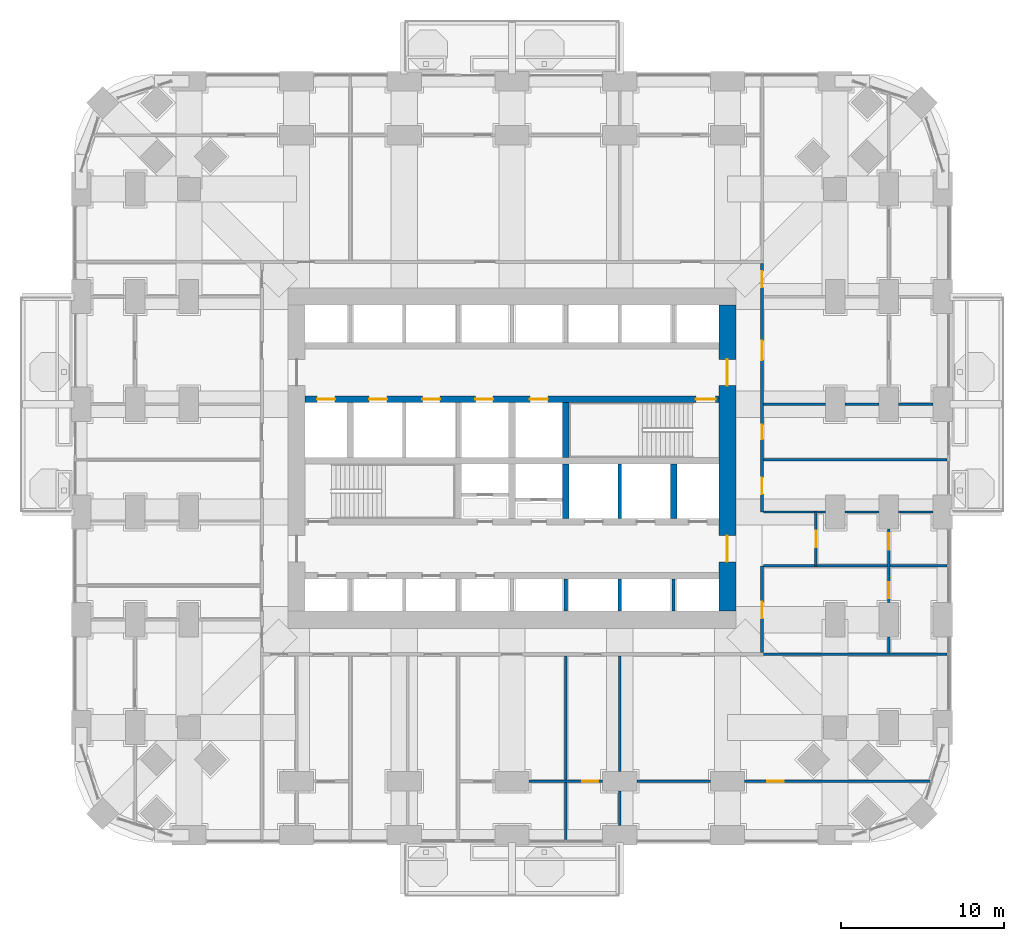
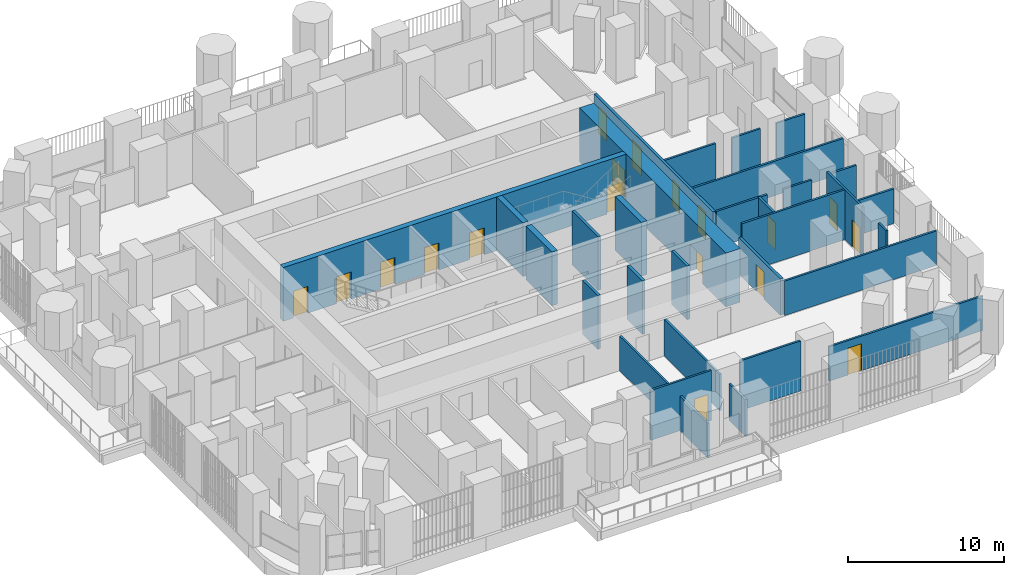
# One storey, part 19 of 26: 30 walls, 18 doors, 18 openings.
"""IFC4 building model written with IfcOpenShell, lengths in metres."""

import ifcopenshell
import ifcopenshell.guid

model = None  # the IFC model being written
_history = None  # IfcOwnerHistory: only IFC2X3 demands one
_inside = {}  # id of a spatial element -> (the spatial element, [elements in it])
_under = {}  # id of a project, library or spatial element -> (it, [spatial elements below it])
_declared = {}  # id of a project -> (the project, [libraries it declares])
_typed = {}  # id of a type object -> (the type object, [elements of that type])
_made_of = {}  # id of a material, layer set ... -> (it, [elements and type objects made of it])


def new_model(schema):
    """Start an empty IFC model of exactly this schema.

    Asked for "IFC4X3", IfcOpenShell would pick the latest addendum, in which some entities
    have other attributes; the version numbers below select the first issue.
    IFC2X3 requires an IfcOwnerHistory on every rooted entity: one is made here for all.
    """
    global model, _history
    if schema == "IFC4X3":
        model = ifcopenshell.file(schema_version=(4, 3, 0, 0))
    else:
        model = ifcopenshell.file(schema=schema)
    _inside.clear()
    _under.clear()
    _declared.clear()
    _typed.clear()
    _made_of.clear()
    _history = None
    if model.schema == "IFC2X3":
        org = make("IfcOrganization", Name="unknown")
        user = make(
            "IfcPersonAndOrganization",
            ThePerson=make("IfcPerson", FamilyName="unknown"),
            TheOrganization=org,
        )
        app = make(
            "IfcApplication",
            ApplicationDeveloper=org,
            Version="unknown",
            ApplicationFullName="unknown",
            ApplicationIdentifier="unknown",
        )
        _history = make(
            "IfcOwnerHistory",
            OwningUser=user,
            OwningApplication=app,
            ChangeAction="ADDED",
            CreationDate=0,
        )
    return model


def make(cls, **values):
    """One entity of the class cls with the attributes given. An attribute that is None is left unset."""
    return model.create_entity(
        cls, **{name: value for name, value in values.items() if value is not None}
    )


def rooted(cls, **values):
    """An entity with a GlobalId (a new one), such as an element, a storey or a relation."""
    return make(cls, GlobalId=ifcopenshell.guid.new(), OwnerHistory=_history, **values)


def si_unit(unit_type, name, prefix=None):
    """IfcSIUnit, for example si_unit("LENGTHUNIT", "METRE", prefix="MILLI")."""
    return make("IfcSIUnit", UnitType=unit_type, Prefix=prefix, Name=name)


def assignment(units):
    """IfcUnitAssignment: the units of a project."""
    return None if units is None else make("IfcUnitAssignment", Units=units)


def point(xyz):
    """IfcCartesianPoint."""
    return None if xyz is None else make("IfcCartesianPoint", Coordinates=xyz)


def direction(xyz):
    """IfcDirection."""
    return None if xyz is None else make("IfcDirection", DirectionRatios=xyz)


def frame(location, z_axis=None, x_axis=None):
    """IfcAxis2Placement3D, a coordinate frame: its origin and axes. An axis left out is left unset."""
    return make(
        "IfcAxis2Placement3D",
        Location=point(location),
        Axis=direction(z_axis),
        RefDirection=direction(x_axis),
    )


def frame_2d(location, x_axis=None):
    """IfcAxis2Placement2D, a coordinate frame in the plane: its origin and x axis."""
    return make(
        "IfcAxis2Placement2D", Location=point(location), RefDirection=direction(x_axis)
    )


def origin():
    """The frame at (0, 0, 0) with its axes left unset."""
    return frame((0.0, 0.0, 0.0))


def place(relative_to, where):
    """IfcLocalPlacement: puts the frame where relative to a parent placement (None: the world)."""
    return make(
        "IfcLocalPlacement", PlacementRelTo=relative_to, RelativePlacement=where
    )


def context(
    kind, dimensions, precision=None, world=None, true_north=None, identifier=None
):
    """IfcGeometricRepresentationContext, for example the 3D "Model" context."""
    return make(
        "IfcGeometricRepresentationContext",
        ContextIdentifier=identifier,
        ContextType=kind,
        CoordinateSpaceDimension=dimensions,
        Precision=precision,
        WorldCoordinateSystem=world,
        TrueNorth=true_north,
    )


def subcontext(parent, identifier, kind, view, scale=None):
    """IfcGeometricRepresentationSubContext, for example "Body" below "Model"."""
    return make(
        "IfcGeometricRepresentationSubContext",
        ContextIdentifier=identifier,
        ContextType=kind,
        ParentContext=parent,
        TargetScale=scale,
        TargetView=view,
    )


def project(units=None, contexts=None):
    """IfcProject with its units and contexts."""
    return rooted(
        "IfcProject",
        Name="project",
        RepresentationContexts=contexts,
        UnitsInContext=assignment(units),
    )


def spatial(cls, under=None, at=None, **own):
    """A site, building, storey or space (cls), placed at a placement, below another one or the project."""
    s = rooted(cls, ObjectPlacement=at, **own)
    if under is not None:
        _under.setdefault(under.id(), (under, []))[1].append(s)
    return s


def profile(cls, at=None, kind="AREA", **sizes):
    """A parametric profile (cls). Its sizes go by their IFC names, for example OverallWidth=200.0."""
    return make(cls, ProfileType=kind, Position=at, **sizes)


def rectangle(**sizes):
    """IfcRectangleProfileDef."""
    return profile("IfcRectangleProfileDef", **sizes)


def extrude(swept, where, along, depth):
    """IfcExtrudedAreaSolid: the profile swept, set in the frame where, extruded along a direction by depth."""
    return make(
        "IfcExtrudedAreaSolid",
        SweptArea=swept,
        Position=where,
        ExtrudedDirection=direction(along),
        Depth=depth,
    )


def shape(context_of_items, identifier, shape_type, items):
    """IfcShapeRepresentation: the items that make up one representation, for example the "Body"."""
    return make(
        "IfcShapeRepresentation",
        ContextOfItems=context_of_items,
        RepresentationIdentifier=identifier,
        RepresentationType=shape_type,
        Items=items,
    )


def material(Name=None, Category=None):
    """IfcMaterial."""
    return make("IfcMaterial", Name=Name, Category=Category)


def layer(
    of_material, thickness, ventilated=None, Name=None, Category=None, Priority=None
):
    """IfcMaterialLayer: one layer of a wall or slab, of a material (None: an air gap)."""
    return make(
        "IfcMaterialLayer",
        Material=of_material,
        LayerThickness=thickness,
        IsVentilated=ventilated,
        Name=Name,
        Category=Category,
        Priority=Priority,
    )


def layer_set(layers, Name=None):
    """IfcMaterialLayerSet."""
    return make("IfcMaterialLayerSet", MaterialLayers=layers, LayerSetName=Name)


def made_of(thing, what):
    """Note that an element or type object is made of a material, layer set ...; save() writes the relation."""
    if what is not None:
        _made_of.setdefault(what.id(), (what, []))[1].append(thing)
    return thing


def type_object(cls, material=None, **own):
    """A type object (cls), such as IfcWallType, which elements share."""
    return made_of(rooted(cls, **own), material)


def element(
    cls,
    number,
    at=None,
    inside=None,
    cuts=None,
    type_object=None,
    material=None,
    context=None,
    identifier="Body",
    shape_type=None,
    held_by="IfcProductDefinitionShape",
    body=None,
    shapes=None,
    **own,
):
    """One element of the class cls, such as IfcWall. Its Tag is "e" and its number.

    at: its placement. inside: the storey or other place that contains it. cuts: it is an
    opening in that element (IfcRelVoidsElement). A single representation is given by context,
    identifier, shape_type and body (its items); several are given by shapes. held_by: the class
    of the entity that holds the representations. save() writes the other relations.
    """
    e = rooted(cls, Tag="e%d" % number, ObjectPlacement=at, **own)
    if body is not None:
        shapes = [shape(context, identifier, shape_type, body)]
    if shapes is not None:
        e.Representation = make(held_by, Representations=shapes)
    if inside is not None:
        _inside.setdefault(inside.id(), (inside, []))[1].append(e)
    if cuts is not None:
        rooted(
            "IfcRelVoidsElement", RelatingBuildingElement=cuts, RelatedOpeningElement=e
        )
    if type_object is not None:
        _typed.setdefault(type_object.id(), (type_object, []))[1].append(e)
    return made_of(e, material)


def fill(opening, filler):
    """IfcRelFillsElement: the door or window that sits in an opening."""
    return rooted(
        "IfcRelFillsElement",
        RelatingOpeningElement=opening,
        RelatedBuildingElement=filler,
    )


def aggregate(whole, parts):
    """IfcRelAggregates: a whole, such as a stair, and the parts it consists of."""
    return rooted("IfcRelAggregates", RelatingObject=whole, RelatedObjects=parts)


def save(model, path):
    """Write the relations noted so far, then the file.

    IfcRelAggregates (storeys below a building ...), IfcRelContainedInSpatialStructure (elements
    in a storey), IfcRelDefinesByType, IfcRelAssociatesMaterial and IfcRelDeclares: one each for
    every whole, place, type object, material and project.
    """
    for whole, parts in _under.values():
        aggregate(whole, parts)
    for where, things in _inside.values():
        rooted(
            "IfcRelContainedInSpatialStructure",
            RelatedElements=things,
            RelatingStructure=where,
        )
    for kind, things in _typed.values():
        rooted("IfcRelDefinesByType", RelatedObjects=things, RelatingType=kind)
    for what, things in _made_of.values():
        rooted("IfcRelAssociatesMaterial", RelatedObjects=things, RelatingMaterial=what)
    for by, libraries in _declared.values():
        rooted("IfcRelDeclares", RelatingContext=by, RelatedDefinitions=libraries)
    model.write(path)


model = new_model("IFC4")

# Units and contexts
model_context = context("Model", 3, precision=1e-05, world=origin(), true_north=direction((0.0, 1.0)))
body_context = subcontext(model_context, "Body", "Model", "MODEL_VIEW")
ifc_project = project(units=[si_unit("LENGTHUNIT", "METRE"), si_unit("AREAUNIT", "SQUARE_METRE"), si_unit("VOLUMEUNIT", "CUBIC_METRE"), si_unit("PLANEANGLEUNIT", "RADIAN"), si_unit("MASSUNIT", "GRAM", prefix="KILO")], contexts=[model_context])

# Site, building, storey
site_placement = place(None, origin())
site = spatial("IfcSite", under=ifc_project, at=site_placement, CompositionType="ELEMENT")
building_placement = place(site_placement, origin())
building = spatial("IfcBuilding", under=site, at=building_placement, Name="Cobogo Forest Laboratory Tower", CompositionType="ELEMENT")
storey_placement = place(building_placement, frame((0.0, 0.0, 59.10009765625)))
storey = spatial("IfcBuildingStorey", under=building, at=storey_placement, Name="L13", CompositionType="ELEMENT", Elevation=59.10009765625)

# Wall, openings, doors
ifc_material_1 = material(Name="Concrete HA-50 (C50/60)", Category="concrete")
ifc_layer_1 = layer(ifc_material_1, 0.39990234375)
ifc_layer_set_1 = layer_set([ifc_layer_1], Name="CI400 core inner wall 400")
wall_type_1 = type_object("IfcWallType", Name="CI400 core inner wall 400", PredefinedType="SHEAR", material=ifc_layer_set_1)
wall_1_placement = place(storey_placement, frame((13.72509765625, 26.699951171875, 0.0), z_axis=(0.0, 0.0, 1.0), x_axis=(1.0, 0.0, 0.0)))
wall_1 = element("IfcWall", 1, at=wall_1_placement, inside=storey, type_object=wall_type_1, Name="Core wall CI-26.7 L13", PredefinedType="SHEAR", context=body_context, shape_type="SweptSolid", body=[
    extrude(rectangle(XDim=25.349853515625, YDim=0.39990234375, at=frame_2d((12.6748046875, 0.0))), origin(), (0.0, 0.0, 1.0), 4.199951171875),
])
opening_1_placement = place(wall_1_placement, frame((23.949951171875, 0.0, 0.0)))
opening_1 = element("IfcOpeningElement", 2, at=opening_1_placement, cuts=wall_1, Name="Opening L13-D34", PredefinedType="OPENING", context=body_context, shape_type="SweptSolid", body=[
    extrude(rectangle(XDim=1.199951171875, YDim=2.10009765625, at=frame_2d((0.60009765625, 1.050048828125))), frame((0.0, 0.2099609375, 0.0), z_axis=(0.0, -1.0, 0.0), x_axis=(1.0, 0.0, 0.0)), (0.0, 0.0, 1.0), 0.419921875),
])
opening_2_placement = place(wall_1_placement, frame((0.737548828125, 0.0, 0.0)))
opening_2 = element("IfcOpeningElement", 3, at=opening_2_placement, cuts=wall_1, Name="Opening L13-LD-FL1", PredefinedType="OPENING", context=body_context, shape_type="SweptSolid", body=[
    extrude(rectangle(XDim=1.10009765625, YDim=2.10009765625, at=frame_2d((0.550048828125, 1.050048828125))), frame((0.0, 0.2099609375, 0.0), z_axis=(0.0, -1.0, 0.0), x_axis=(1.0, 0.0, 0.0)), (0.0, 0.0, 1.0), 0.419921875),
])
opening_3_placement = place(wall_1_placement, frame((3.925048828125, 0.0, 0.0)))
opening_3 = element("IfcOpeningElement", 4, at=opening_3_placement, cuts=wall_1, Name="Opening L13-LD-LS3", PredefinedType="OPENING", context=body_context, shape_type="SweptSolid", body=[
    extrude(rectangle(XDim=1.10009765625, YDim=2.10009765625, at=frame_2d((0.550048828125, 1.050048828125))), frame((0.0, 0.2099609375, 0.0), z_axis=(0.0, -1.0, 0.0), x_axis=(1.0, 0.0, 0.0)), (0.0, 0.0, 1.0), 0.419921875),
])
opening_4_placement = place(wall_1_placement, frame((7.175048828125, 0.0, 0.0)))
opening_4 = element("IfcOpeningElement", 5, at=opening_4_placement, cuts=wall_1, Name="Opening L13-LD-LS4", PredefinedType="OPENING", context=body_context, shape_type="SweptSolid", body=[
    extrude(rectangle(XDim=1.10009765625, YDim=2.10009765625, at=frame_2d((0.550048828125, 1.050048828125))), frame((0.0, 0.2099609375, 0.0), z_axis=(0.0, -1.0, 0.0), x_axis=(1.0, 0.0, 0.0)), (0.0, 0.0, 1.0), 0.419921875),
])
opening_5_placement = place(wall_1_placement, frame((10.425048828125, 0.0, 0.0)))
opening_5 = element("IfcOpeningElement", 6, at=opening_5_placement, cuts=wall_1, Name="Opening L13-LD-LS5", PredefinedType="OPENING", context=body_context, shape_type="SweptSolid", body=[
    extrude(rectangle(XDim=1.10009765625, YDim=2.10009765625, at=frame_2d((0.550048828125, 1.050048828125))), frame((0.0, 0.2099609375, 0.0), z_axis=(0.0, -1.0, 0.0), x_axis=(1.0, 0.0, 0.0)), (0.0, 0.0, 1.0), 0.419921875),
])
opening_6_placement = place(wall_1_placement, frame((13.77490234375, 0.0, 0.0)))
opening_6 = element("IfcOpeningElement", 7, at=opening_6_placement, cuts=wall_1, Name="Opening L13-LD-LS6", PredefinedType="OPENING", context=body_context, shape_type="SweptSolid", body=[
    extrude(rectangle(XDim=1.10009765625, YDim=2.10009765625, at=frame_2d((0.550048828125, 1.050048828125))), frame((0.0, 0.2099609375, 0.0), z_axis=(0.0, -1.0, 0.0), x_axis=(1.0, 0.0, 0.0)), (0.0, 0.0, 1.0), 0.419921875),
])
ifc_material_2 = material(Name="Steel fire door", Category="steel")
door_type_1 = type_object("IfcDoorType", Name="DS1 protected stair door 1200 EI2 60", OperationType="SINGLE_SWING_LEFT", PredefinedType="DOOR", material=ifc_material_2)
door_1_placement = place(opening_1_placement, origin())
door_1 = element("IfcDoor", 8, at=door_1_placement, inside=storey, type_object=door_type_1, Name="Door L13-ST2", OperationType="SINGLE_SWING_RIGHT", OverallHeight=2.10009765625, OverallWidth=1.199951171875, PredefinedType="DOOR", context=body_context, shape_type="SweptSolid", body=[
    extrude(rectangle(XDim=1.199951171875, YDim=2.10009765625, at=frame_2d((0.60009765625, 1.050048828125))), frame((0.0, 0.02490234375, 0.0), z_axis=(0.0, -1.0, 0.0), x_axis=(1.0, 0.0, 0.0)), (0.0, 0.0, 1.0), 0.050048828125),
])
fill(opening_1, door_1)
ifc_material_3 = material(Name="Stainless steel lift door", Category="steel")
door_type_2 = type_object("IfcDoorType", Name="LD lift landing door 1100", OperationType="DOUBLE_DOOR_SLIDING", PredefinedType="DOOR", material=ifc_material_3)
door_2_placement = place(opening_2_placement, origin())
door_2 = element("IfcDoor", 9, at=door_2_placement, inside=storey, type_object=door_type_2, Name="Lift landing door FL1 L13", OperationType="DOUBLE_DOOR_SLIDING", OverallHeight=2.10009765625, OverallWidth=1.10009765625, PredefinedType="DOOR", context=body_context, shape_type="SweptSolid", body=[
    extrude(rectangle(XDim=1.10009765625, YDim=2.10009765625, at=frame_2d((0.550048828125, 1.050048828125))), frame((0.0, 0.02490234375, 0.0), z_axis=(0.0, -1.0, 0.0), x_axis=(1.0, 0.0, 0.0)), (0.0, 0.0, 1.0), 0.050048828125),
])
fill(opening_2, door_2)
door_3_placement = place(opening_3_placement, origin())
door_3 = element("IfcDoor", 10, at=door_3_placement, inside=storey, type_object=door_type_2, Name="Lift landing door LS3 L13", OperationType="DOUBLE_DOOR_SLIDING", OverallHeight=2.10009765625, OverallWidth=1.10009765625, PredefinedType="DOOR", context=body_context, shape_type="SweptSolid", body=[
    extrude(rectangle(XDim=1.10009765625, YDim=2.10009765625, at=frame_2d((0.550048828125, 1.050048828125))), frame((0.0, 0.02490234375, 0.0), z_axis=(0.0, -1.0, 0.0), x_axis=(1.0, 0.0, 0.0)), (0.0, 0.0, 1.0), 0.050048828125),
])
fill(opening_3, door_3)
door_4_placement = place(opening_4_placement, origin())
door_4 = element("IfcDoor", 11, at=door_4_placement, inside=storey, type_object=door_type_2, Name="Lift landing door LS4 L13", OperationType="DOUBLE_DOOR_SLIDING", OverallHeight=2.10009765625, OverallWidth=1.10009765625, PredefinedType="DOOR", context=body_context, shape_type="SweptSolid", body=[
    extrude(rectangle(XDim=1.10009765625, YDim=2.10009765625, at=frame_2d((0.550048828125, 1.050048828125))), frame((0.0, 0.02490234375, 0.0), z_axis=(0.0, -1.0, 0.0), x_axis=(1.0, 0.0, 0.0)), (0.0, 0.0, 1.0), 0.050048828125),
])
fill(opening_4, door_4)
door_5_placement = place(opening_5_placement, origin())
door_5 = element("IfcDoor", 12, at=door_5_placement, inside=storey, type_object=door_type_2, Name="Lift landing door LS5 L13", OperationType="DOUBLE_DOOR_SLIDING", OverallHeight=2.10009765625, OverallWidth=1.10009765625, PredefinedType="DOOR", context=body_context, shape_type="SweptSolid", body=[
    extrude(rectangle(XDim=1.10009765625, YDim=2.10009765625, at=frame_2d((0.550048828125, 1.050048828125))), frame((0.0, 0.02490234375, 0.0), z_axis=(0.0, -1.0, 0.0), x_axis=(1.0, 0.0, 0.0)), (0.0, 0.0, 1.0), 0.050048828125),
])
fill(opening_5, door_5)
door_6_placement = place(opening_6_placement, origin())
door_6 = element("IfcDoor", 13, at=door_6_placement, inside=storey, type_object=door_type_2, Name="Lift landing door LS6 L13", OperationType="DOUBLE_DOOR_SLIDING", OverallHeight=2.10009765625, OverallWidth=1.10009765625, PredefinedType="DOOR", context=body_context, shape_type="SweptSolid", body=[
    extrude(rectangle(XDim=1.10009765625, YDim=2.10009765625, at=frame_2d((0.550048828125, 1.050048828125))), frame((0.0, 0.02490234375, 0.0), z_axis=(0.0, -1.0, 0.0), x_axis=(1.0, 0.0, 0.0)), (0.0, 0.0, 1.0), 0.050048828125),
])
fill(opening_6, door_6)

# Walls
for number, where, z_axis, x_axis, name in (
    (14, (29.699951171875, 19.39990234375, 0.0), (0.0, 0.0, 1.0), (0.0, 1.0, 0.0), "Core wall CX-29.7S L13"),
    (15, (36.300048828125, 19.39990234375, 0.0), (0.0, 0.0, 1.0), (0.0, 1.0, 0.0), "Core wall CX-36.3 L13"),
    (16, (29.699951171875, 23.14990234375, 0.0), (0.0, 0.0, 1.0), (0.0, 1.0, 0.0), "Core wall CX-29.7N L13"),
):
    element("IfcWall", number, at=place(storey_placement, frame(where, z_axis=z_axis, x_axis=x_axis)), inside=storey, type_object=wall_type_1, Name=name, PredefinedType="SHEAR", context=body_context, shape_type="SweptSolid", body=[
        extrude(rectangle(XDim=3.35009765625, YDim=0.39990234375, at=frame_2d((1.675048828125, 0.0))), origin(), (0.0, 0.0, 1.0), 4.199951171875),
    ])

# Wall, openings, doors
ifc_layer_2 = layer(ifc_material_1, 1.050048828125)
ifc_layer_set_2 = layer_set([ifc_layer_2], Name="CW1050 core outer wall 1050")
wall_type_2 = type_object("IfcWallType", Name="CW1050 core outer wall 1050", PredefinedType="SHEAR", material=ifc_layer_set_2)
wall_2_placement = place(storey_placement, frame((39.60009765625, 13.72509765625, 0.0), z_axis=(0.0, 0.0, 1.0), x_axis=(0.0, 1.0, 0.0)))
wall_2 = element("IfcWall", 17, at=wall_2_placement, inside=storey, type_object=wall_type_2, Name="Core wall CO-E L13", PredefinedType="SHEAR", context=body_context, shape_type="SweptSolid", body=[
    extrude(rectangle(XDim=18.75, YDim=1.050048828125, at=frame_2d((9.375, 0.0))), origin(), (0.0, 0.0, 1.0), 4.199951171875),
])
opening_7_placement = place(wall_2_placement, frame((3.02490234375, 0.0, 0.0)))
opening_7 = element("IfcOpeningElement", 18, at=opening_7_placement, cuts=wall_2, Name="Opening L13-D20", PredefinedType="OPENING", context=body_context, shape_type="SweptSolid", body=[
    extrude(rectangle(XDim=1.60009765625, YDim=2.10009765625, at=frame_2d((0.800048828125, 1.050048828125))), frame((0.0, 0.534912109375, 0.0), z_axis=(0.0, -1.0, 0.0), x_axis=(1.0, 0.0, 0.0)), (0.0, 0.0, 1.0), 1.070068359375),
])
opening_8_placement = place(wall_2_placement, frame((13.824951171875, 0.0, 0.0)))
opening_8 = element("IfcOpeningElement", 19, at=opening_8_placement, cuts=wall_2, Name="Opening L13-D36", PredefinedType="OPENING", context=body_context, shape_type="SweptSolid", body=[
    extrude(rectangle(XDim=1.60009765625, YDim=2.10009765625, at=frame_2d((0.800048828125, 1.050048828125))), frame((0.0, 0.534912109375, 0.0), z_axis=(0.0, -1.0, 0.0), x_axis=(1.0, 0.0, 0.0)), (0.0, 0.0, 1.0), 1.070068359375),
])
door_type_3 = type_object("IfcDoorType", Name="DS2 protected lobby door pair 1600 EI2 60", OperationType="DOUBLE_DOOR_DOUBLE_SWING", PredefinedType="DOOR", material=ifc_material_2)
door_7_placement = place(opening_7_placement, origin())
door_7 = element("IfcDoor", 20, at=door_7_placement, inside=storey, type_object=door_type_3, Name="Door L13-CO-E-S", OperationType="DOUBLE_DOOR_DOUBLE_SWING", OverallHeight=2.10009765625, OverallWidth=1.60009765625, PredefinedType="DOOR", context=body_context, shape_type="SweptSolid", body=[
    extrude(rectangle(XDim=1.60009765625, YDim=2.10009765625, at=frame_2d((0.800048828125, 1.050048828125))), frame((0.0, 0.02490234375, 0.0), z_axis=(0.0, -1.0, 0.0), x_axis=(1.0, 0.0, 0.0)), (0.0, 0.0, 1.0), 0.050048828125),
])
fill(opening_7, door_7)
door_8_placement = place(opening_8_placement, origin())
door_8 = element("IfcDoor", 21, at=door_8_placement, inside=storey, type_object=door_type_3, Name="Door L13-CO-E-N", OperationType="DOUBLE_DOOR_DOUBLE_SWING", OverallHeight=2.10009765625, OverallWidth=1.60009765625, PredefinedType="DOOR", context=body_context, shape_type="SweptSolid", body=[
    extrude(rectangle(XDim=1.60009765625, YDim=2.10009765625, at=frame_2d((0.800048828125, 1.050048828125))), frame((0.0, 0.02490234375, 0.0), z_axis=(0.0, -1.0, 0.0), x_axis=(1.0, 0.0, 0.0)), (0.0, 0.0, 1.0), 0.050048828125),
])
fill(opening_8, door_8)

# Wall
ifc_material_4 = material(Name="Gypsum board on steel studs", Category="steel")
ifc_layer_3 = layer(ifc_material_4, 0.14990234375)
ifc_layer_set_3 = layer_set([ifc_layer_3], Name="PT1 laboratory partition 150")
wall_type_3 = type_object("IfcWallType", Name="PT1 laboratory partition 150", PredefinedType="PARTITIONING", material=ifc_layer_set_3)
wall_3_placement = place(storey_placement, frame((53.070068359375, 11.074951171875, 0.0), z_axis=(0.0, 0.0, 1.0), x_axis=(-1.0, 0.0, 0.0)))
element("IfcWall", 22, at=wall_3_placement, inside=storey, type_object=wall_type_3, Name="Partition PW-SE L13", PredefinedType="PARTITIONING", context=body_context, shape_type="SweptSolid", body=[
    extrude(rectangle(XDim=11.2451171875, YDim=0.14990234375, at=frame_2d((5.62255859375, 0.0))), origin(), (0.0, 0.0, 1.0), 2.699951171875),
])

# Wall, opening, door
wall_4_placement = place(storey_placement, frame((27.449951171875, 3.300048828125, 0.0), z_axis=(0.0, 0.0, 1.0), x_axis=(1.0, 0.0, 0.0)))
wall_4 = element("IfcWall", 23, at=wall_4_placement, inside=storey, type_object=wall_type_3, Name="Partition STRIP-S-3 L13", PredefinedType="PARTITIONING", context=body_context, shape_type="SweptSolid", body=[
    extrude(rectangle(XDim=4.5, YDim=0.14990234375, at=frame_2d((2.25, 0.0))), origin(), (0.0, 0.0, 1.0), 3.89990234375),
])
opening_9_placement = place(wall_4_placement, frame((3.25, 0.0, 0.0)))
opening_9 = element("IfcOpeningElement", 24, at=opening_9_placement, cuts=wall_4, Name="Opening L13-D04", PredefinedType="OPENING", context=body_context, shape_type="SweptSolid", body=[
    extrude(rectangle(XDim=1.0, YDim=2.10009765625, at=frame_2d((0.5, 1.050048828125))), frame((0.0, 0.0849609375, 0.0), z_axis=(0.0, -1.0, 0.0), x_axis=(1.0, 0.0, 0.0)), (0.0, 0.0, 1.0), 0.169921875),
])
ifc_material_5 = material(Name="Timber fire door", Category="wood")
door_type_4 = type_object("IfcDoorType", Name="FD2 fire door 1000 EI2 30", OperationType="SINGLE_SWING_LEFT", PredefinedType="DOOR", material=ifc_material_5)
door_9_placement = place(opening_9_placement, origin())
door_9 = element("IfcDoor", 25, at=door_9_placement, inside=storey, type_object=door_type_4, Name="Door L13-S4W", OperationType="SINGLE_SWING_RIGHT", OverallHeight=2.10009765625, OverallWidth=1.0, PredefinedType="DOOR", context=body_context, shape_type="SweptSolid", body=[
    extrude(rectangle(XDim=1.0, YDim=2.10009765625, at=frame_2d((0.5, 1.050048828125))), frame((0.0, 0.02490234375, 0.0), z_axis=(0.0, -1.0, 0.0), x_axis=(1.0, 0.0, 0.0)), (0.0, 0.0, 1.0), 0.050048828125),
])
fill(opening_9, door_9)

# Wall
wall_5_placement = place(storey_placement, frame((34.050048828125, 3.300048828125, 0.0), z_axis=(0.0, 0.0, 1.0), x_axis=(1.0, 0.0, 0.0)))
element("IfcWall", 26, at=wall_5_placement, inside=storey, type_object=wall_type_3, Name="Partition STRIP-S-4 L13", PredefinedType="PARTITIONING", context=body_context, shape_type="SweptSolid", body=[
    extrude(rectangle(XDim=4.5, YDim=0.14990234375, at=frame_2d((2.25, 0.0))), origin(), (0.0, 0.0, 1.0), 3.89990234375),
])

# Wall, opening, door
wall_6_placement = place(storey_placement, frame((40.64990234375, 3.300048828125, 0.0), z_axis=(0.0, 0.0, 1.0), x_axis=(1.0, 0.0, 0.0)))
wall_6 = element("IfcWall", 27, at=wall_6_placement, inside=storey, type_object=wall_type_3, Name="Partition STRIP-S-5 L13", PredefinedType="PARTITIONING", context=body_context, shape_type="SweptSolid", body=[
    extrude(rectangle(XDim=11.3740234375, YDim=0.14990234375, at=frame_2d((5.68701171875, 0.0))), origin(), (0.0, 0.0, 1.0), 2.699951171875),
])
opening_10_placement = place(wall_6_placement, frame((1.39208984375, 0.0, 0.0)))
opening_10 = element("IfcOpeningElement", 28, at=opening_10_placement, cuts=wall_6, Name="Opening L13-D05", PredefinedType="OPENING", context=body_context, shape_type="SweptSolid", body=[
    extrude(rectangle(XDim=1.0, YDim=2.10009765625, at=frame_2d((0.5, 1.050048828125))), frame((0.0, 0.0849609375, 0.0), z_axis=(0.0, -1.0, 0.0), x_axis=(1.0, 0.0, 0.0)), (0.0, 0.0, 1.0), 0.169921875),
])
door_10_placement = place(opening_10_placement, origin())
door_10 = element("IfcDoor", 29, at=door_10_placement, inside=storey, type_object=door_type_4, Name="Door L13-S5W", OperationType="SINGLE_SWING_LEFT", OverallHeight=2.10009765625, OverallWidth=1.0, PredefinedType="DOOR", context=body_context, shape_type="SweptSolid", body=[
    extrude(rectangle(XDim=1.0, YDim=2.10009765625, at=frame_2d((0.5, 1.050048828125))), frame((0.0, 0.02490234375, 0.0), z_axis=(0.0, -1.0, 0.0), x_axis=(1.0, 0.0, 0.0)), (0.0, 0.0, 1.0), 0.050048828125),
])
fill(opening_10, door_10)

# Walls
wall_7_placement = place(storey_placement, frame((29.699951171875, -0.27001953125, 0.0), z_axis=(0.0, 0.0, 1.0), x_axis=(0.0, 1.0, 0.0)))
element("IfcWall", 30, at=wall_7_placement, inside=storey, type_object=wall_type_3, Name="Partition CUT-S29.7-1 L13", PredefinedType="PARTITIONING", context=body_context, shape_type="SweptSolid", body=[
    extrude(rectangle(XDim=11.2451171875, YDim=0.14990234375, at=frame_2d((5.62255859375, 0.0))), origin(), (0.0, 0.0, 1.0), 2.699951171875),
])
wall_8_placement = place(storey_placement, frame((33.0, 0.60009765625, 0.0), z_axis=(0.0, 0.0, 1.0), x_axis=(0.0, 1.0, 0.0)))
element("IfcWall", 31, at=wall_8_placement, inside=storey, type_object=wall_type_3, Name="Partition CUT-S33a-1 L13", PredefinedType="PARTITIONING", context=body_context, shape_type="SweptSolid", body=[
    extrude(rectangle(XDim=2.099853515625, YDim=0.14990234375, at=frame_2d((1.0498046875, 0.0))), origin(), (0.0, 0.0, 1.0), 2.849853515625),
])
wall_9_placement = place(storey_placement, frame((33.0, 3.89990234375, 0.0), z_axis=(0.0, 0.0, 1.0), x_axis=(0.0, 1.0, 0.0)))
element("IfcWall", 32, at=wall_9_placement, inside=storey, type_object=wall_type_3, Name="Partition CUT-S33b-1 L13", PredefinedType="PARTITIONING", context=body_context, shape_type="SweptSolid", body=[
    extrude(rectangle(XDim=7.0751953125, YDim=0.14990234375, at=frame_2d((3.53759765625, 0.0))), origin(), (0.0, 0.0, 1.0), 2.849853515625),
])
wall_10_placement = place(storey_placement, frame((49.5, 11.14990234375, 0.0), z_axis=(0.0, 0.0, 1.0), x_axis=(0.0, 1.0, 0.0)))
element("IfcWall", 33, at=wall_10_placement, inside=storey, type_object=wall_type_3, Name="Partition STRIP-E-1 L13", PredefinedType="PARTITIONING", context=body_context, shape_type="SweptSolid", body=[
    extrude(rectangle(XDim=1.0, YDim=0.14990234375, at=frame_2d((0.5, 0.0))), origin(), (0.0, 0.0, 1.0), 3.89990234375),
])

# Wall, openings, doors
wall_11_placement = place(storey_placement, frame((49.5, 14.25, 0.0), z_axis=(0.0, 0.0, 1.0), x_axis=(0.0, 1.0, 0.0)))
wall_11 = element("IfcWall", 34, at=wall_11_placement, inside=storey, type_object=wall_type_3, Name="Partition STRIP-E-2 L13", PredefinedType="PARTITIONING", context=body_context, shape_type="SweptSolid", body=[
    extrude(rectangle(XDim=4.5, YDim=0.14990234375, at=frame_2d((2.25, 0.0))), origin(), (0.0, 0.0, 1.0), 3.89990234375),
])
opening_11_placement = place(wall_11_placement, frame((0.25, 0.0, 0.0)))
opening_11 = element("IfcOpeningElement", 35, at=opening_11_placement, cuts=wall_11, Name="Opening L13-D17", PredefinedType="OPENING", context=body_context, shape_type="SweptSolid", body=[
    extrude(rectangle(XDim=1.0, YDim=2.10009765625, at=frame_2d((0.5, 1.050048828125))), frame((0.0, 0.0849609375, 0.0), z_axis=(0.0, -1.0, 0.0), x_axis=(1.0, 0.0, 0.0)), (0.0, 0.0, 1.0), 0.169921875),
])
opening_12_placement = place(wall_11_placement, frame((3.25, 0.0, 0.0)))
opening_12 = element("IfcOpeningElement", 36, at=opening_12_placement, cuts=wall_11, Name="Opening L13-D21", PredefinedType="OPENING", context=body_context, shape_type="SweptSolid", body=[
    extrude(rectangle(XDim=1.0, YDim=2.10009765625, at=frame_2d((0.5, 1.050048828125))), frame((0.0, 0.0849609375, 0.0), z_axis=(0.0, -1.0, 0.0), x_axis=(1.0, 0.0, 0.0)), (0.0, 0.0, 1.0), 0.169921875),
])
door_11_placement = place(opening_11_placement, origin())
door_11 = element("IfcDoor", 37, at=door_11_placement, inside=storey, type_object=door_type_4, Name="Door L13-E1W", OperationType="SINGLE_SWING_LEFT", OverallHeight=2.10009765625, OverallWidth=1.0, PredefinedType="DOOR", context=body_context, shape_type="SweptSolid", body=[
    extrude(rectangle(XDim=1.0, YDim=2.10009765625, at=frame_2d((0.5, 1.050048828125))), frame((0.0, 0.02490234375, 0.0), z_axis=(0.0, -1.0, 0.0), x_axis=(1.0, 0.0, 0.0)), (0.0, 0.0, 1.0), 0.050048828125),
])
fill(opening_11, door_11)
door_12_placement = place(opening_12_placement, origin())
door_12 = element("IfcDoor", 38, at=door_12_placement, inside=storey, type_object=door_type_4, Name="Door L13-E2W", OperationType="SINGLE_SWING_RIGHT", OverallHeight=2.10009765625, OverallWidth=1.0, PredefinedType="DOOR", context=body_context, shape_type="SweptSolid", body=[
    extrude(rectangle(XDim=1.0, YDim=2.10009765625, at=frame_2d((0.5, 1.050048828125))), frame((0.0, 0.02490234375, 0.0), z_axis=(0.0, -1.0, 0.0), x_axis=(1.0, 0.0, 0.0)), (0.0, 0.0, 1.0), 0.050048828125),
])
fill(opening_12, door_12)

# Wall, opening, door
wall_12_placement = place(storey_placement, frame((45.02490234375, 16.5, 0.0), z_axis=(0.0, 0.0, 1.0), x_axis=(0.0, 1.0, 0.0)))
wall_12 = element("IfcWall", 39, at=wall_12_placement, inside=storey, type_object=wall_type_3, Name="Partition NODE-E-1 L13", PredefinedType="PARTITIONING", context=body_context, shape_type="SweptSolid", body=[
    extrude(rectangle(XDim=3.300048828125, YDim=0.14990234375, at=frame_2d((1.64990234375, 0.0))), origin(), (0.0, 0.0, 1.0), 2.849853515625),
])
opening_13_placement = place(wall_12_placement, frame((1.14990234375, 0.0, 0.0)))
opening_13 = element("IfcOpeningElement", 40, at=opening_13_placement, cuts=wall_12, Name="Opening L13-D22", PredefinedType="OPENING", context=body_context, shape_type="SweptSolid", body=[
    extrude(rectangle(XDim=1.0, YDim=2.10009765625, at=frame_2d((0.5, 1.050048828125))), frame((0.0, 0.0849609375, 0.0), z_axis=(0.0, -1.0, 0.0), x_axis=(1.0, 0.0, 0.0)), (0.0, 0.0, 1.0), 0.169921875),
])
door_13_placement = place(opening_13_placement, origin())
door_13 = element("IfcDoor", 41, at=door_13_placement, inside=storey, type_object=door_type_4, Name="Door L13-E2", OperationType="SINGLE_SWING_RIGHT", OverallHeight=2.10009765625, OverallWidth=1.0, PredefinedType="DOOR", context=body_context, shape_type="SweptSolid", body=[
    extrude(rectangle(XDim=1.0, YDim=2.10009765625, at=frame_2d((0.5, 1.050048828125))), frame((0.0, 0.02490234375, 0.0), z_axis=(0.0, -1.0, 0.0), x_axis=(1.0, 0.0, 0.0)), (0.0, 0.0, 1.0), 0.050048828125),
])
fill(opening_13, door_13)

# Walls
wall_13_placement = place(storey_placement, frame((53.070068359375, 23.0, 0.0), z_axis=(0.0, 0.0, 1.0), x_axis=(-1.0, 0.0, 0.0)))
element("IfcWall", 42, at=wall_13_placement, inside=storey, type_object=wall_type_3, Name="Partition SVC-E1-1 L13", PredefinedType="PARTITIONING", context=body_context, shape_type="SweptSolid", body=[
    extrude(rectangle(XDim=11.2451171875, YDim=0.14990234375, at=frame_2d((5.62255859375, 0.0))), origin(), (0.0, 0.0, 1.0), 2.699951171875),
])
for number, where, z_axis, x_axis, name in (
    (43, (52.199951171875, 26.39990234375, 0.0), (0.0, 0.0, 1.0), (-1.0, 0.0, 0.0), "Partition SVC-E2-1 L13"),
    (44, (48.89990234375, 26.39990234375, 0.0), (0.0, 0.0, 1.0), (-1.0, 0.0, 0.0), "Partition SVC-E2-2 L13"),
):
    element("IfcWall", number, at=place(storey_placement, frame(where, z_axis=z_axis, x_axis=x_axis)), inside=storey, type_object=wall_type_3, Name=name, PredefinedType="PARTITIONING", context=body_context, shape_type="SweptSolid", body=[
        extrude(rectangle(XDim=2.099853515625, YDim=0.14990234375, at=frame_2d((1.0498046875, 0.0))), origin(), (0.0, 0.0, 1.0), 2.849853515625),
    ])
wall_14_placement = place(storey_placement, frame((45.60009765625, 26.39990234375, 0.0), z_axis=(0.0, 0.0, 1.0), x_axis=(-1.0, 0.0, 0.0)))
element("IfcWall", 45, at=wall_14_placement, inside=storey, type_object=wall_type_3, Name="Partition SVC-E2-3 L13", PredefinedType="PARTITIONING", context=body_context, shape_type="SweptSolid", body=[
    extrude(rectangle(XDim=3.775146484375, YDim=0.14990234375, at=frame_2d((1.8876953125, 0.0))), origin(), (0.0, 0.0, 1.0), 2.849853515625),
])
wall_15_placement = place(storey_placement, frame((53.070068359375, 16.5, 0.0), z_axis=(0.0, 0.0, 1.0), x_axis=(-1.0, 0.0, 0.0)))
element("IfcWall", 46, at=wall_15_placement, inside=storey, type_object=wall_type_3, Name="Partition CUT-E16.5a-1 L13", PredefinedType="PARTITIONING", context=body_context, shape_type="SweptSolid", body=[
    extrude(rectangle(XDim=3.4951171875, YDim=0.14990234375, at=frame_2d((1.74755859375, 0.0))), origin(), (0.0, 0.0, 1.0), 2.699951171875),
])
wall_16_placement = place(storey_placement, frame((49.425048828125, 16.5, 0.0), z_axis=(0.0, 0.0, 1.0), x_axis=(-1.0, 0.0, 0.0)))
element("IfcWall", 47, at=wall_16_placement, inside=storey, type_object=wall_type_3, Name="Partition CUT-E16.5b-1 L13", PredefinedType="PARTITIONING", context=body_context, shape_type="SweptSolid", body=[
    extrude(rectangle(XDim=7.60009765625, YDim=0.14990234375, at=frame_2d((3.800048828125, 0.0))), origin(), (0.0, 0.0, 1.0), 3.89990234375),
])
for number, where, z_axis, x_axis, name in (
    (48, (52.199951171875, 19.800048828125, 0.0), (0.0, 0.0, 1.0), (-1.0, 0.0, 0.0), "Partition CUT-E19.8-1 L13"),
    (49, (48.89990234375, 19.800048828125, 0.0), (0.0, 0.0, 1.0), (-1.0, 0.0, 0.0), "Partition CUT-E19.8-2 L13"),
):
    element("IfcWall", number, at=place(storey_placement, frame(where, z_axis=z_axis, x_axis=x_axis)), inside=storey, type_object=wall_type_3, Name=name, PredefinedType="PARTITIONING", context=body_context, shape_type="SweptSolid", body=[
        extrude(rectangle(XDim=2.099853515625, YDim=0.14990234375, at=frame_2d((1.0498046875, 0.0))), origin(), (0.0, 0.0, 1.0), 2.849853515625),
    ])
wall_17_placement = place(storey_placement, frame((45.60009765625, 19.800048828125, 0.0), z_axis=(0.0, 0.0, 1.0), x_axis=(-1.0, 0.0, 0.0)))
element("IfcWall", 50, at=wall_17_placement, inside=storey, type_object=wall_type_3, Name="Partition CUT-E19.8-3 L13", PredefinedType="PARTITIONING", context=body_context, shape_type="SweptSolid", body=[
    extrude(rectangle(XDim=3.775146484375, YDim=0.14990234375, at=frame_2d((1.8876953125, 0.0))), origin(), (0.0, 0.0, 1.0), 2.849853515625),
])

# Wall, opening, door
ifc_layer_4 = layer(ifc_material_4, 0.199951171875)
ifc_layer_set_4 = layer_set([ifc_layer_4], Name="PT2 fire-rated corridor partition 200")
wall_type_4 = type_object("IfcWallType", Name="PT2 fire-rated corridor partition 200", PredefinedType="PARTITIONING", material=ifc_layer_set_4)
wall_18_placement = place(storey_placement, frame((41.72509765625, 11.175048828125, 0.0), z_axis=(0.0, 0.0, 1.0), x_axis=(0.0, 1.0, 0.0)))
wall_18 = element("IfcWall", 51, at=wall_18_placement, inside=storey, type_object=wall_type_4, Name="Partition CORR-E-1 L13", PredefinedType="PARTITIONING", context=body_context, shape_type="SweptSolid", body=[
    extrude(rectangle(XDim=5.324951171875, YDim=0.199951171875, at=frame_2d((2.66259765625, 0.0))), origin(), (0.0, 0.0, 1.0), 2.849853515625),
])
opening_14_placement = place(wall_18_placement, frame((2.112548828125, 0.0, 0.0)))
opening_14 = element("IfcOpeningElement", 52, at=opening_14_placement, cuts=wall_18, Name="Opening L13-D15", PredefinedType="OPENING", context=body_context, shape_type="SweptSolid", body=[
    extrude(rectangle(XDim=1.0, YDim=2.10009765625, at=frame_2d((0.5, 1.050048828125))), frame((0.0, 0.10986328125, 0.0), z_axis=(0.0, -1.0, 0.0), x_axis=(1.0, 0.0, 0.0)), (0.0, 0.0, 1.0), 0.219970703125),
])
door_14_placement = place(opening_14_placement, origin())
door_14 = element("IfcDoor", 53, at=door_14_placement, inside=storey, type_object=door_type_4, Name="Door L13-E1", OperationType="SINGLE_SWING_LEFT", OverallHeight=2.10009765625, OverallWidth=1.0, PredefinedType="DOOR", context=body_context, shape_type="SweptSolid", body=[
    extrude(rectangle(XDim=1.0, YDim=2.10009765625, at=frame_2d((0.5, 1.050048828125))), frame((0.0, 0.02490234375, 0.0), z_axis=(0.0, -1.0, 0.0), x_axis=(1.0, 0.0, 0.0)), (0.0, 0.0, 1.0), 0.050048828125),
])
fill(opening_14, door_14)

# Wall, openings, doors
wall_19_placement = place(storey_placement, frame((41.72509765625, 19.800048828125, 0.0), z_axis=(0.0, 0.0, 1.0), x_axis=(0.0, 1.0, 0.0)))
wall_19 = element("IfcWall", 54, at=wall_19_placement, inside=storey, type_object=wall_type_4, Name="Partition CORR-E-2 L13", PredefinedType="PARTITIONING", context=body_context, shape_type="SweptSolid", body=[
    extrude(rectangle(XDim=15.224853515625, YDim=0.199951171875, at=frame_2d((7.6123046875, 0.0))), origin(), (0.0, 0.0, 1.0), 2.849853515625),
])
opening_15_placement = place(wall_19_placement, frame((1.10009765625, 0.0, 0.0)))
opening_15 = element("IfcOpeningElement", 55, at=opening_15_placement, cuts=wall_19, Name="Opening L13-D29", PredefinedType="OPENING", context=body_context, shape_type="SweptSolid", body=[
    extrude(rectangle(XDim=1.0, YDim=2.10009765625, at=frame_2d((0.5, 1.050048828125))), frame((0.0, 0.10986328125, 0.0), z_axis=(0.0, -1.0, 0.0), x_axis=(1.0, 0.0, 0.0)), (0.0, 0.0, 1.0), 0.219970703125),
])
opening_16_placement = place(wall_19_placement, frame((4.449951171875, 0.0, 0.0)))
opening_16 = element("IfcOpeningElement", 56, at=opening_16_placement, cuts=wall_19, Name="Opening L13-D33", PredefinedType="OPENING", context=body_context, shape_type="SweptSolid", body=[
    extrude(rectangle(XDim=0.89990234375, YDim=2.10009765625, at=frame_2d((0.449951171875, 1.050048828125))), frame((0.0, 0.10986328125, 0.0), z_axis=(0.0, -1.0, 0.0), x_axis=(1.0, 0.0, 0.0)), (0.0, 0.0, 1.0), 0.219970703125),
])
opening_17_placement = place(wall_19_placement, frame((9.300048828125, 0.0, 0.0)))
opening_17 = element("IfcOpeningElement", 57, at=opening_17_placement, cuts=wall_19, Name="Opening L13-D39", PredefinedType="OPENING", context=body_context, shape_type="SweptSolid", body=[
    extrude(rectangle(XDim=1.199951171875, YDim=2.10009765625, at=frame_2d((0.60009765625, 1.050048828125))), frame((0.0, 0.10986328125, 0.0), z_axis=(0.0, -1.0, 0.0), x_axis=(1.0, 0.0, 0.0)), (0.0, 0.0, 1.0), 0.219970703125),
])
opening_18_placement = place(wall_19_placement, frame((13.762451171875, 0.0, 0.0)))
opening_18 = element("IfcOpeningElement", 58, at=opening_18_placement, cuts=wall_19, Name="Opening L13-D42", PredefinedType="OPENING", context=body_context, shape_type="SweptSolid", body=[
    extrude(rectangle(XDim=1.0, YDim=2.10009765625, at=frame_2d((0.5, 1.050048828125))), frame((0.0, 0.10986328125, 0.0), z_axis=(0.0, -1.0, 0.0), x_axis=(1.0, 0.0, 0.0)), (0.0, 0.0, 1.0), 0.219970703125),
])
ifc_material_6 = material(Name="Timber door", Category="wood")
door_type_5 = type_object("IfcDoorType", Name="D2 laboratory door 1200 unequal pair", OperationType="DOUBLE_DOOR_SINGLE_SWING", PredefinedType="DOOR", material=ifc_material_6)
door_15_placement = place(opening_17_placement, origin())
door_15 = element("IfcDoor", 59, at=door_15_placement, inside=storey, type_object=door_type_5, Name="Door L13-E3", OperationType="DOUBLE_DOOR_SINGLE_SWING", OverallHeight=2.10009765625, OverallWidth=1.199951171875, PredefinedType="DOOR", context=body_context, shape_type="SweptSolid", body=[
    extrude(rectangle(XDim=1.199951171875, YDim=2.10009765625, at=frame_2d((0.60009765625, 1.050048828125))), frame((0.0, 0.02490234375, 0.0), z_axis=(0.0, -1.0, 0.0), x_axis=(1.0, 0.0, 0.0)), (0.0, 0.0, 1.0), 0.050048828125),
])
fill(opening_17, door_15)
door_type_6 = type_object("IfcDoorType", Name="FD1 fire door 1000 EI2 60", OperationType="SINGLE_SWING_LEFT", PredefinedType="DOOR", material=ifc_material_2)
door_16_placement = place(opening_15_placement, origin())
door_16 = element("IfcDoor", 60, at=door_16_placement, inside=storey, type_object=door_type_6, Name="Door L13-ELEC", OperationType="SINGLE_SWING_LEFT", OverallHeight=2.10009765625, OverallWidth=1.0, PredefinedType="DOOR", context=body_context, shape_type="SweptSolid", body=[
    extrude(rectangle(XDim=1.0, YDim=2.10009765625, at=frame_2d((0.5, 1.050048828125))), frame((0.0, 0.02490234375, 0.0), z_axis=(0.0, -1.0, 0.0), x_axis=(1.0, 0.0, 0.0)), (0.0, 0.0, 1.0), 0.050048828125),
])
fill(opening_15, door_16)
door_17_placement = place(opening_18_placement, origin())
door_17 = element("IfcDoor", 61, at=door_17_placement, inside=storey, type_object=door_type_4, Name="Door L13-E4", OperationType="SINGLE_SWING_RIGHT", OverallHeight=2.10009765625, OverallWidth=1.0, PredefinedType="DOOR", context=body_context, shape_type="SweptSolid", body=[
    extrude(rectangle(XDim=1.0, YDim=2.10009765625, at=frame_2d((0.5, 1.050048828125))), frame((0.0, 0.02490234375, 0.0), z_axis=(0.0, -1.0, 0.0), x_axis=(1.0, 0.0, 0.0)), (0.0, 0.0, 1.0), 0.050048828125),
])
fill(opening_18, door_17)
door_type_7 = type_object("IfcDoorType", Name="FD4 riser access door 900 EI2 60", OperationType="SINGLE_SWING_LEFT", PredefinedType="DOOR", material=ifc_material_2)
door_18_placement = place(opening_16_placement, origin())
door_18 = element("IfcDoor", 62, at=door_18_placement, inside=storey, type_object=door_type_7, Name="Door L13-COMMS", OperationType="SINGLE_SWING_LEFT", OverallHeight=2.10009765625, OverallWidth=0.89990234375, PredefinedType="DOOR", context=body_context, shape_type="SweptSolid", body=[
    extrude(rectangle(XDim=0.89990234375, YDim=2.10009765625, at=frame_2d((0.449951171875, 1.050048828125))), frame((0.0, 0.02490234375, 0.0), z_axis=(0.0, -1.0, 0.0), x_axis=(1.0, 0.0, 0.0)), (0.0, 0.0, 1.0), 0.050048828125),
])
fill(opening_16, door_18)

# Walls
ifc_material_7 = material(Name="Concrete block", Category="concrete")
ifc_layer_5 = layer(ifc_material_7, 0.199951171875)
ifc_layer_set_5 = layer_set([ifc_layer_5], Name="SW200 lift shaft separator 200")
wall_type_5 = type_object("IfcWallType", Name="SW200 lift shaft separator 200", PredefinedType="PARTITIONING", material=ifc_layer_set_5)
for number, where, z_axis, x_axis, name in (
    (63, (29.699951171875, 13.72509765625, 0.0), (0.0, 0.0, 1.0), (0.0, 1.0, 0.0), "Core wall SEP-S5 L13"),
    (64, (33.0, 13.72509765625, 0.0), (0.0, 0.0, 1.0), (0.0, 1.0, 0.0), "Core wall SEP-S6 L13"),
    (65, (36.300048828125, 13.72509765625, 0.0), (0.0, 0.0, 1.0), (0.0, 1.0, 0.0), "Core wall SEP-S7 L13"),
):
    element("IfcWall", number, at=place(storey_placement, frame(where, z_axis=z_axis, x_axis=x_axis)), inside=storey, type_object=wall_type_5, Name=name, PredefinedType="PARTITIONING", context=body_context, shape_type="SweptSolid", body=[
        extrude(rectangle(XDim=1.974853515625, YDim=0.199951171875, at=frame_2d((0.9873046875, 0.0))), origin(), (0.0, 0.0, 1.0), 4.199951171875),
    ])
wall_20_placement = place(storey_placement, frame((33.0, 19.39990234375, 0.0), z_axis=(0.0, 0.0, 1.0), x_axis=(0.0, 1.0, 0.0)))
element("IfcWall", 66, at=wall_20_placement, inside=storey, type_object=wall_type_5, Name="Core wall SEP-M33.0 L13", PredefinedType="PARTITIONING", context=body_context, shape_type="SweptSolid", body=[
    extrude(rectangle(XDim=3.35009765625, YDim=0.199951171875, at=frame_2d((1.675048828125, 0.0))), origin(), (0.0, 0.0, 1.0), 4.199951171875),
])

save(model, "model.ifc")
